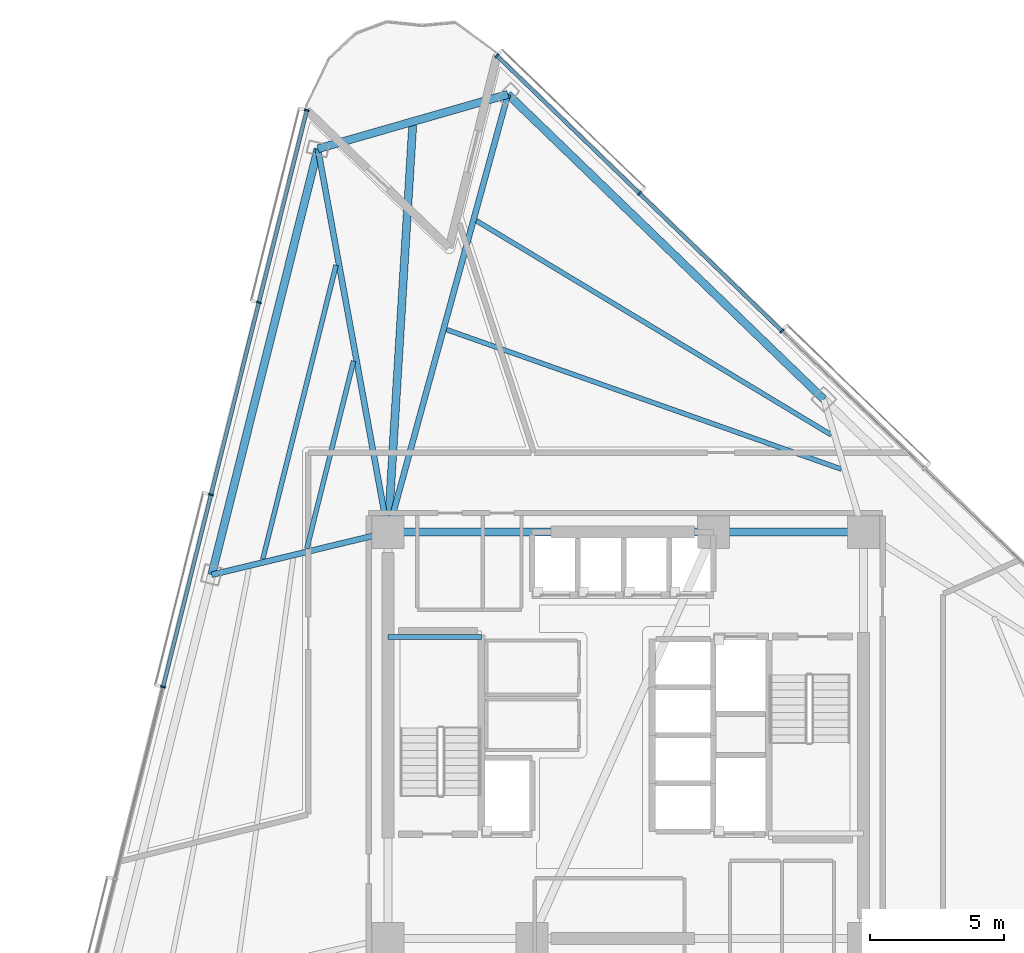
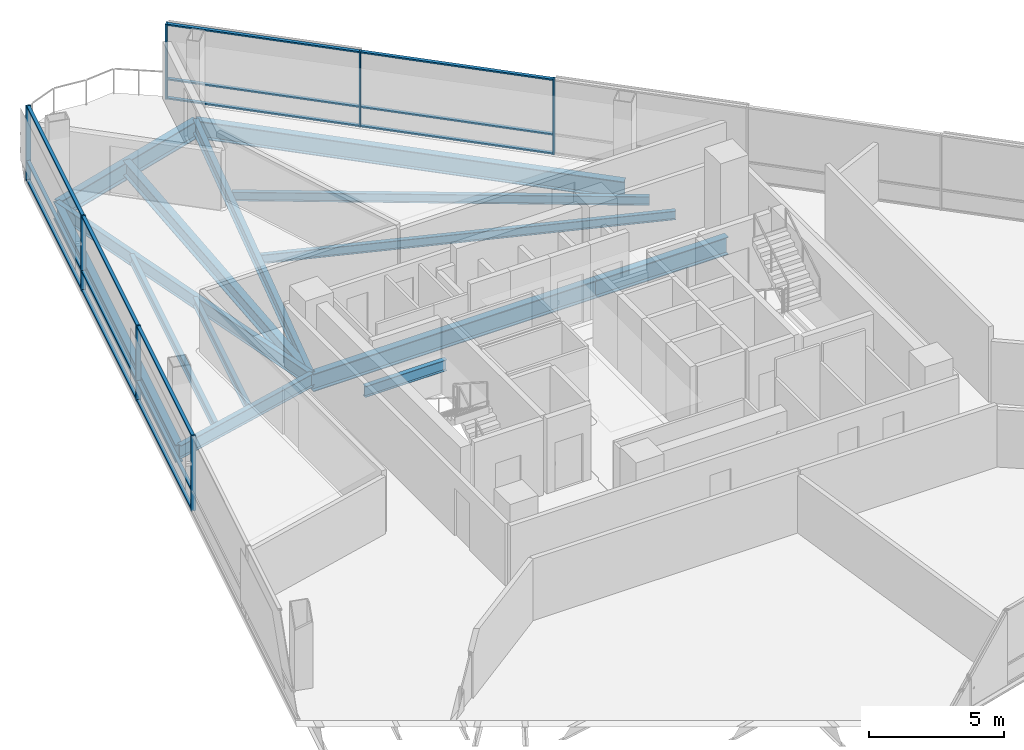
# One storey, part 6 of 18: 22 members, 14 beams, 2 elements without a shape of their own.
"""IFC4 building model written with IfcOpenShell, lengths in metres."""

from ifc_helpers import new_model, si_unit, direction, frame, origin, origin_2d, place, context, subcontext, project, spatial, rectangle, i_section, extrude, material, layer, layer_set, material_profile, profile_set, type_object, element, aggregate, save


model = new_model("IFC4")

# Units and contexts
model_context = context("Model", 3, precision=1e-05, world=origin(), true_north=direction((0.0, 1.0)))
body_context = subcontext(model_context, "Body", "Model", "MODEL_VIEW")
ifc_project = project(units=[si_unit("LENGTHUNIT", "METRE"), si_unit("AREAUNIT", "SQUARE_METRE"), si_unit("VOLUMEUNIT", "CUBIC_METRE"), si_unit("PLANEANGLEUNIT", "RADIAN"), si_unit("MASSUNIT", "GRAM", prefix="KILO")], contexts=[model_context])

# Site, building, storey
site_placement = place(None, origin())
site = spatial("IfcSite", under=ifc_project, at=site_placement, CompositionType="ELEMENT")
building_placement = place(site_placement, origin())
building = spatial("IfcBuilding", under=site, at=building_placement, Name="Tharavind Bronze Gate", CompositionType="ELEMENT")
storey_placement = place(building_placement, frame((0.0, 0.0, 100.5)))
storey = spatial("IfcBuildingStorey", under=building, at=storey_placement, Name="L25", CompositionType="ELEMENT", Elevation=100.5)

# Curtain wall, members
ifc_material_1 = material(Name="Anodised Bronze Aluminium", Category="aluminium")
ifc_layer = layer(ifc_material_1, 0.219970703125)
ifc_layer_set = layer_set([ifc_layer], Name="Anodised Bronze Aluminium")
curtain_wall_type = type_object("IfcCurtainWallType", Name="UNITISED CURTAIN WALL LOWER OFFICE", PredefinedType="USERDEFINED", material=ifc_layer_set)
curtain_wall_1_placement = place(storey_placement, origin())
curtain_wall_1 = element("IfcCurtainWall", 1, at=curtain_wall_1_placement, inside=storey, type_object=curtain_wall_type, Name="L25 unitised curtain wall lower office CW-L25-S1", ObjectType="UNITISED CURTAIN WALL", PredefinedType="USERDEFINED")
member_type_1 = type_object("IfcMemberType", Name="CURTAIN WALL BRONZE MULLION 65X180", PredefinedType="MULLION", material=ifc_material_1)
member_1_placement = place(storey_placement, frame((-11.93359375, 23.394287109375, 0.0), z_axis=(0.0, 0.0, 1.0), x_axis=(-0.2419218956, -0.970295726276, 0.0)))
member_1 = element("IfcMember", 2, at=member_1_placement, type_object=member_type_1, Name="CW-L25-S1 mullion 1", PredefinedType="MULLION", context=body_context, shape_type="SweptSolid", body=[
    extrude(rectangle(XDim=0.06494140625, YDim=0.179931640625, at=origin_2d()), origin(), (0.0, 0.0, 1.0), 3.409912109375),
])
member_2_placement = place(storey_placement, frame((-13.727294921875, 16.2001953125, 0.0), z_axis=(0.0, 0.0, 1.0), x_axis=(-0.2419218956, -0.970295726276, 0.0)))
member_2 = element("IfcMember", 3, at=member_2_placement, type_object=member_type_1, Name="CW-L25-S1 mullion 2", PredefinedType="MULLION", context=body_context, shape_type="SweptSolid", body=[
    extrude(rectangle(XDim=0.06494140625, YDim=0.179931640625, at=origin_2d()), origin(), (0.0, 0.0, 1.0), 3.409912109375),
])
member_3_placement = place(storey_placement, frame((-15.52099609375, 9.00634765625, 0.0), z_axis=(0.0, 0.0, 1.0), x_axis=(-0.2419218956, -0.970295726276, 0.0)))
member_3 = element("IfcMember", 4, at=member_3_placement, type_object=member_type_1, Name="CW-L25-S1 mullion 3", PredefinedType="MULLION", context=body_context, shape_type="SweptSolid", body=[
    extrude(rectangle(XDim=0.06494140625, YDim=0.179931640625, at=origin_2d()), origin(), (0.0, 0.0, 1.0), 3.409912109375),
])
member_4_placement = place(storey_placement, frame((-17.314697265625, 1.812255859375, 0.0), z_axis=(0.0, 0.0, 1.0), x_axis=(-0.2419218956, -0.970295726276, 0.0)))
member_4 = element("IfcMember", 5, at=member_4_placement, type_object=member_type_1, Name="CW-L25-S1 mullion 4", PredefinedType="MULLION", context=body_context, shape_type="SweptSolid", body=[
    extrude(rectangle(XDim=0.06494140625, YDim=0.179931640625, at=origin_2d()), origin(), (0.0, 0.0, 1.0), 3.409912109375),
])

curtain_wall_2_placement = place(storey_placement, origin())
curtain_wall_2 = element("IfcCurtainWall", 6, at=curtain_wall_2_placement, inside=storey, type_object=curtain_wall_type, Name="L25 unitised curtain wall lower office CW-L25-S3", ObjectType="UNITISED CURTAIN WALL", PredefinedType="USERDEFINED")
member_5_placement = place(storey_placement, frame((5.84619140625, 15.13330078125, 0.0), z_axis=(0.0, 0.0, 1.0), x_axis=(-0.719341012745, 0.694657114973, 0.0)))
member_5 = element("IfcMember", 7, at=member_5_placement, type_object=member_type_1, Name="CW-L25-S3 mullion 6", PredefinedType="MULLION", context=body_context, shape_type="SweptSolid", body=[
    extrude(rectangle(XDim=0.06494140625, YDim=0.179931640625, at=origin_2d()), origin(), (0.0, 0.0, 1.0), 3.409912109375),
])
member_6_placement = place(storey_placement, frame((0.512939453125, 20.28369140625, 0.0), z_axis=(0.0, 0.0, 1.0), x_axis=(-0.719341012745, 0.694657114973, 0.0)))
member_6 = element("IfcMember", 8, at=member_6_placement, type_object=member_type_1, Name="CW-L25-S3 mullion 7", PredefinedType="MULLION", context=body_context, shape_type="SweptSolid", body=[
    extrude(rectangle(XDim=0.06494140625, YDim=0.179931640625, at=origin_2d()), origin(), (0.0, 0.0, 1.0), 3.409912109375),
])
member_7_placement = place(storey_placement, frame((-4.8203125, 25.433837890625, 0.0), z_axis=(0.0, 0.0, 1.0), x_axis=(-0.719341012745, 0.694657114973, 0.0)))
member_7 = element("IfcMember", 9, at=member_7_placement, type_object=member_type_1, Name="CW-L25-S3 mullion 8", PredefinedType="MULLION", context=body_context, shape_type="SweptSolid", body=[
    extrude(rectangle(XDim=0.06494140625, YDim=0.179931640625, at=origin_2d()), origin(), (0.0, 0.0, 1.0), 3.409912109375),
])

# Member
member_type_2 = type_object("IfcMemberType", Name="CURTAIN WALL BRONZE TRANSOM 65X140", PredefinedType="USERDEFINED", material=ifc_material_1)
member_8_placement = place(storey_placement, frame((-12.83056640625, 19.797119140625, 0.0), z_axis=(0.0, 0.0, 1.0), x_axis=(-0.2419218956, -0.970295726276, 0.0)))
member_8 = element("IfcMember", 10, at=member_8_placement, type_object=member_type_2, Name="CW-L25-S1 transom TB1", ObjectType="TRANSOM", PredefinedType="USERDEFINED", context=body_context, shape_type="SweptSolid", body=[
    extrude(rectangle(XDim=7.361083984375, YDim=0.139892578125, at=origin_2d()), origin(), (0.0, 0.0, 1.0), 0.06494140625),
])

member_9_placement = place(storey_placement, frame((-12.83056640625, 19.797119140625, 0.867431640625), z_axis=(0.0, 0.0, 1.0), x_axis=(-0.2419218956, -0.970295726276, 0.0)))
member_9 = element("IfcMember", 11, at=member_9_placement, type_object=member_type_2, Name="CW-L25-S1 transom TS1", ObjectType="TRANSOM", PredefinedType="USERDEFINED", context=body_context, shape_type="SweptSolid", body=[
    extrude(rectangle(XDim=7.361083984375, YDim=0.139892578125, at=origin_2d()), origin(), (0.0, 0.0, 1.0), 0.06494140625),
])

member_10_placement = place(storey_placement, frame((-12.83056640625, 19.797119140625, 3.344970703125), z_axis=(0.0, 0.0, 1.0), x_axis=(-0.2419218956, -0.970295726276, 0.0)))
member_10 = element("IfcMember", 12, at=member_10_placement, type_object=member_type_2, Name="CW-L25-S1 transom TT1", ObjectType="TRANSOM", PredefinedType="USERDEFINED", context=body_context, shape_type="SweptSolid", body=[
    extrude(rectangle(XDim=7.361083984375, YDim=0.139892578125, at=origin_2d()), origin(), (0.0, 0.0, 1.0), 0.06494140625),
])

member_11_placement = place(storey_placement, frame((-14.624267578125, 12.603271484375, 0.0), z_axis=(0.0, 0.0, 1.0), x_axis=(-0.2419218956, -0.970295726276, 0.0)))
member_11 = element("IfcMember", 13, at=member_11_placement, type_object=member_type_2, Name="CW-L25-S1 transom TB2", ObjectType="TRANSOM", PredefinedType="USERDEFINED", context=body_context, shape_type="SweptSolid", body=[
    extrude(rectangle(XDim=7.361083984375, YDim=0.139892578125, at=origin_2d()), origin(), (0.0, 0.0, 1.0), 0.06494140625),
])

member_12_placement = place(storey_placement, frame((-14.624267578125, 12.603271484375, 0.867431640625), z_axis=(0.0, 0.0, 1.0), x_axis=(-0.2419218956, -0.970295726276, 0.0)))
member_12 = element("IfcMember", 14, at=member_12_placement, type_object=member_type_2, Name="CW-L25-S1 transom TS2", ObjectType="TRANSOM", PredefinedType="USERDEFINED", context=body_context, shape_type="SweptSolid", body=[
    extrude(rectangle(XDim=7.361083984375, YDim=0.139892578125, at=origin_2d()), origin(), (0.0, 0.0, 1.0), 0.06494140625),
])

member_13_placement = place(storey_placement, frame((-14.624267578125, 12.603271484375, 3.344970703125), z_axis=(0.0, 0.0, 1.0), x_axis=(-0.2419218956, -0.970295726276, 0.0)))
member_13 = element("IfcMember", 15, at=member_13_placement, type_object=member_type_2, Name="CW-L25-S1 transom TT2", ObjectType="TRANSOM", PredefinedType="USERDEFINED", context=body_context, shape_type="SweptSolid", body=[
    extrude(rectangle(XDim=7.361083984375, YDim=0.139892578125, at=origin_2d()), origin(), (0.0, 0.0, 1.0), 0.06494140625),
])

member_14_placement = place(storey_placement, frame((-16.417724609375, 5.4091796875, 0.0), z_axis=(0.0, 0.0, 1.0), x_axis=(-0.2419218956, -0.970295726276, 0.0)))
member_14 = element("IfcMember", 16, at=member_14_placement, type_object=member_type_2, Name="CW-L25-S1 transom TB3", ObjectType="TRANSOM", PredefinedType="USERDEFINED", context=body_context, shape_type="SweptSolid", body=[
    extrude(rectangle(XDim=7.361083984375, YDim=0.139892578125, at=origin_2d()), origin(), (0.0, 0.0, 1.0), 0.06494140625),
])

member_15_placement = place(storey_placement, frame((-16.417724609375, 5.4091796875, 0.867431640625), z_axis=(0.0, 0.0, 1.0), x_axis=(-0.2419218956, -0.970295726276, 0.0)))
member_15 = element("IfcMember", 17, at=member_15_placement, type_object=member_type_2, Name="CW-L25-S1 transom TS3", ObjectType="TRANSOM", PredefinedType="USERDEFINED", context=body_context, shape_type="SweptSolid", body=[
    extrude(rectangle(XDim=7.361083984375, YDim=0.139892578125, at=origin_2d()), origin(), (0.0, 0.0, 1.0), 0.06494140625),
])

member_16_placement = place(storey_placement, frame((-16.417724609375, 5.4091796875, 3.344970703125), z_axis=(0.0, 0.0, 1.0), x_axis=(-0.2419218956, -0.970295726276, 0.0)))
member_16 = element("IfcMember", 18, at=member_16_placement, type_object=member_type_2, Name="CW-L25-S1 transom TT3", ObjectType="TRANSOM", PredefinedType="USERDEFINED", context=body_context, shape_type="SweptSolid", body=[
    extrude(rectangle(XDim=7.361083984375, YDim=0.139892578125, at=origin_2d()), origin(), (0.0, 0.0, 1.0), 0.06494140625),
])

aggregate(curtain_wall_1, [member_1, member_2, member_3, member_4, member_8, member_9, member_10, member_11, member_12, member_13, member_14, member_15, member_16])

member_17_placement = place(storey_placement, frame((3.1796875, 17.70849609375, 0.0), z_axis=(0.0, 0.0, 1.0), x_axis=(-0.719341012745, 0.694657114973, 0.0)))
member_17 = element("IfcMember", 19, at=member_17_placement, type_object=member_type_2, Name="CW-L25-S3 transom TB6", ObjectType="TRANSOM", PredefinedType="USERDEFINED", context=body_context, shape_type="SweptSolid", body=[
    extrude(rectangle(XDim=7.361083984375, YDim=0.139892578125, at=origin_2d()), origin(), (0.0, 0.0, 1.0), 0.06494140625),
])

member_18_placement = place(storey_placement, frame((3.1796875, 17.70849609375, 0.867431640625), z_axis=(0.0, 0.0, 1.0), x_axis=(-0.719341012745, 0.694657114973, 0.0)))
member_18 = element("IfcMember", 20, at=member_18_placement, type_object=member_type_2, Name="CW-L25-S3 transom TS6", ObjectType="TRANSOM", PredefinedType="USERDEFINED", context=body_context, shape_type="SweptSolid", body=[
    extrude(rectangle(XDim=7.361083984375, YDim=0.139892578125, at=origin_2d()), origin(), (0.0, 0.0, 1.0), 0.06494140625),
])

member_19_placement = place(storey_placement, frame((3.1796875, 17.70849609375, 3.344970703125), z_axis=(0.0, 0.0, 1.0), x_axis=(-0.719341012745, 0.694657114973, 0.0)))
member_19 = element("IfcMember", 21, at=member_19_placement, type_object=member_type_2, Name="CW-L25-S3 transom TT6", ObjectType="TRANSOM", PredefinedType="USERDEFINED", context=body_context, shape_type="SweptSolid", body=[
    extrude(rectangle(XDim=7.361083984375, YDim=0.139892578125, at=origin_2d()), origin(), (0.0, 0.0, 1.0), 0.06494140625),
])

member_20_placement = place(storey_placement, frame((-2.15380859375, 22.858642578125, 0.0), z_axis=(0.0, 0.0, 1.0), x_axis=(-0.719341012745, 0.694657114973, 0.0)))
member_20 = element("IfcMember", 22, at=member_20_placement, type_object=member_type_2, Name="CW-L25-S3 transom TB7", ObjectType="TRANSOM", PredefinedType="USERDEFINED", context=body_context, shape_type="SweptSolid", body=[
    extrude(rectangle(XDim=7.361083984375, YDim=0.139892578125, at=origin_2d()), origin(), (0.0, 0.0, 1.0), 0.06494140625),
])

member_21_placement = place(storey_placement, frame((-2.15380859375, 22.858642578125, 0.867431640625), z_axis=(0.0, 0.0, 1.0), x_axis=(-0.719341012745, 0.694657114973, 0.0)))
member_21 = element("IfcMember", 23, at=member_21_placement, type_object=member_type_2, Name="CW-L25-S3 transom TS7", ObjectType="TRANSOM", PredefinedType="USERDEFINED", context=body_context, shape_type="SweptSolid", body=[
    extrude(rectangle(XDim=7.361083984375, YDim=0.139892578125, at=origin_2d()), origin(), (0.0, 0.0, 1.0), 0.06494140625),
])

member_22_placement = place(storey_placement, frame((-2.15380859375, 22.858642578125, 3.344970703125), z_axis=(0.0, 0.0, 1.0), x_axis=(-0.719341012745, 0.694657114973, 0.0)))
member_22 = element("IfcMember", 24, at=member_22_placement, type_object=member_type_2, Name="CW-L25-S3 transom TT7", ObjectType="TRANSOM", PredefinedType="USERDEFINED", context=body_context, shape_type="SweptSolid", body=[
    extrude(rectangle(XDim=7.361083984375, YDim=0.139892578125, at=origin_2d()), origin(), (0.0, 0.0, 1.0), 0.06494140625),
])

aggregate(curtain_wall_2, [member_5, member_6, member_7, member_17, member_18, member_19, member_20, member_21, member_22])

# Beams
ifc_material_2 = material(Name="Steel S355", Category="steel")
ifc_material_profile_1 = material_profile(ifc_material_2, i_section(OverallWidth=0.300048828125, OverallDepth=0.64990234375, WebThickness=0.01611328125, FlangeThickness=0.031005859375, at=origin_2d()), Name="HE650B")
ifc_profile_set_1 = profile_set([ifc_material_profile_1], Name="Steel S355")
beam_type_1 = type_object("IfcBeamType", Name="PRIMARY GIRDER HE650B", PredefinedType="USERDEFINED", material=ifc_profile_set_1)
beam_1_placement = place(storey_placement, frame((-8.89990234375, 7.60009765625, -0.514892578125), z_axis=(0.060795156935, 0.998150263684, 0.0), x_axis=(-0.998150263684, 0.060795156935, 0.0)))
element("IfcBeam", 25, at=beam_1_placement, inside=storey, type_object=beam_type_1, Name="L25 primary girder he650b BM-L25-BLCSB", ObjectType="GIRDER", PredefinedType="USERDEFINED", context=body_context, shape_type="SweptSolid", body=[
    extrude(i_section(OverallWidth=0.300048828125, OverallDepth=0.64990234375, WebThickness=0.01611328125, FlangeThickness=0.031005859375, at=origin_2d()), origin(), (0.0, 0.0, 1.0), 15.400634765625),
])
ifc_material_profile_2 = material_profile(ifc_material_2, i_section(OverallWidth=0.199951171875, OverallDepth=0.5, WebThickness=0.01025390625, FlangeThickness=0.01611328125, at=origin_2d()), Name="IPE500")
ifc_profile_set_2 = profile_set([ifc_material_profile_2], Name="Steel S355")
beam_type_2 = type_object("IfcBeamType", Name="PRIMARY GIRDER IPE500", PredefinedType="USERDEFINED", material=ifc_profile_set_2)
beam_2_placement = place(storey_placement, frame((-8.89990234375, 3.679931640625, 1.35009765625), z_axis=(1.0, 0.0, 0.0), x_axis=(0.0, 1.0, 0.0)))
element("IfcBeam", 26, at=beam_2_placement, inside=storey, type_object=beam_type_2, Name="L25 primary girder ipe500 BM-LD-ST1-L25-1", ObjectType="GIRDER", PredefinedType="USERDEFINED", context=body_context, shape_type="SweptSolid", body=[
    extrude(i_section(OverallWidth=0.199951171875, OverallDepth=0.5, WebThickness=0.01025390625, FlangeThickness=0.01611328125, at=origin_2d()), origin(), (0.0, 0.0, 1.0), 3.5),
])
ifc_material_profile_3 = material_profile(ifc_material_2, i_section(OverallWidth=0.219970703125, OverallDepth=0.60009765625, WebThickness=0.011962890625, FlangeThickness=0.01904296875, at=origin_2d()), Name="IPE600")
ifc_profile_set_3 = profile_set([ifc_material_profile_3], Name="Steel S355")
beam_type_3 = type_object("IfcBeamType", Name="PRIMARY GIRDER IPE600", PredefinedType="USERDEFINED", material=ifc_profile_set_3)
beam_3_placement = place(storey_placement, frame((-11.520263671875, 21.952392578125, -0.489990234375), z_axis=(0.179605485625, -0.983738720156, 0.0), x_axis=(0.983738720156, 0.179605485625, 0.0)))
element("IfcBeam", 27, at=beam_3_placement, inside=storey, type_object=beam_type_3, Name="L25 primary girder ipe600 BM-L25-RAD01", ObjectType="GIRDER", PredefinedType="USERDEFINED", context=body_context, shape_type="SweptSolid", body=[
    extrude(i_section(OverallWidth=0.219970703125, OverallDepth=0.60009765625, WebThickness=0.011962890625, FlangeThickness=0.01904296875, at=origin_2d()), origin(), (0.0, 0.0, 1.0), 14.589599609375),
])
beam_4_placement = place(storey_placement, frame((-15.495849609375, 6.006591796875, -0.489990234375), z_axis=(0.972035781116, 0.234832792069, 0.0), x_axis=(-0.234832792069, 0.972035781116, 0.0)))
element("IfcBeam", 28, at=beam_4_placement, inside=storey, type_object=beam_type_3, Name="L25 primary girder ipe600 BM-L25-RAD02", ObjectType="GIRDER", PredefinedType="USERDEFINED", context=body_context, shape_type="SweptSolid", body=[
    extrude(i_section(OverallWidth=0.219970703125, OverallDepth=0.60009765625, WebThickness=0.011962890625, FlangeThickness=0.01904296875, at=origin_2d()), origin(), (0.0, 0.0, 1.0), 6.78564453125),
])
beam_5_placement = place(storey_placement, frame((-4.406982421875, 23.9921875, -0.489990234375), z_axis=(-0.26434111933, -0.964429247084, 0.0), x_axis=(0.964429247084, -0.26434111933, 0.0)))
element("IfcBeam", 29, at=beam_5_placement, inside=storey, type_object=beam_type_3, Name="L25 primary girder ipe600 BM-L25-RAD12", ObjectType="GIRDER", PredefinedType="USERDEFINED", context=body_context, shape_type="SweptSolid", body=[
    extrude(i_section(OverallWidth=0.219970703125, OverallDepth=0.60009765625, WebThickness=0.011962890625, FlangeThickness=0.01904296875, at=origin_2d()), origin(), (0.0, 0.0, 1.0), 16.99658203125),
])
ifc_material_profile_4 = material_profile(ifc_material_2, i_section(OverallWidth=0.300048828125, OverallDepth=0.800048828125, WebThickness=0.017578125, FlangeThickness=0.032958984375, at=origin_2d()), Name="HE800B")
ifc_profile_set_4 = profile_set([ifc_material_profile_4], Name="Steel S355")
beam_type_4 = type_object("IfcBeamType", Name="RING GIRDER HE800B", PredefinedType="USERDEFINED", material=ifc_profile_set_4)
beam_6_placement = place(storey_placement, frame((8.89990234375, 7.60009765625, -0.590087890625), z_axis=(-1.0, 0.0, 0.0), x_axis=(0.0, -1.0, 0.0)))
element("IfcBeam", 30, at=beam_6_placement, inside=storey, type_object=beam_type_4, Name="L25 ring girder he800b BM-L25-CR4", ObjectType="GIRDER", PredefinedType="USERDEFINED", context=body_context, shape_type="SweptSolid", body=[
    extrude(i_section(OverallWidth=0.300048828125, OverallDepth=0.800048828125, WebThickness=0.017578125, FlangeThickness=0.032958984375, at=origin_2d()), origin(), (0.0, 0.0, 1.0), 5.619873046875),
])
beam_7_placement = place(storey_placement, frame((3.280029296875, 7.60009765625, -0.590087890625), z_axis=(-1.0, 0.0, 0.0), x_axis=(0.0, -1.0, 0.0)))
element("IfcBeam", 31, at=beam_7_placement, inside=storey, type_object=beam_type_4, Name="L25 ring girder he800b BM-L25-CR5", ObjectType="GIRDER", PredefinedType="USERDEFINED", context=body_context, shape_type="SweptSolid", body=[
    extrude(i_section(OverallWidth=0.300048828125, OverallDepth=0.800048828125, WebThickness=0.017578125, FlangeThickness=0.032958984375, at=origin_2d()), origin(), (0.0, 0.0, 1.0), 12.179931640625),
])
for number, where, z_axis, x_axis, name in (
    (32, (-11.520263671875, 21.952392578125, -0.590087890625), (-0.241913375366, -0.970297850569, 0.0), (0.970297850569, -0.241913375366, 0.0), "L25 ring girder he800b BM-L25-PRG01"),
    (33, (7.41455078125, 12.576171875, -0.590087890625), (-0.719336950964, 0.694661321061, 0.0), (-0.694661321061, -0.719336950964, 0.0), "L25 ring girder he800b BM-L25-PRG11"),
):
    element("IfcBeam", number, at=place(storey_placement, frame(where, z_axis=z_axis, x_axis=x_axis)), inside=storey, type_object=beam_type_4, Name=name, ObjectType="GIRDER", PredefinedType="USERDEFINED", context=body_context, shape_type="SweptSolid", body=[
        extrude(i_section(OverallWidth=0.300048828125, OverallDepth=0.800048828125, WebThickness=0.017578125, FlangeThickness=0.032958984375, at=origin_2d()), origin(), (0.0, 0.0, 1.0), 16.433837890625),
    ])
beam_8_placement = place(storey_placement, frame((-4.406982421875, 23.9921875, -0.590087890625), z_axis=(-0.961258317766, -0.275649136633, 0.0), x_axis=(0.275649136633, -0.961258317766, 0.0)))
element("IfcBeam", 34, at=beam_8_placement, inside=storey, type_object=beam_type_4, Name="L25 ring girder he800b BM-L25-PRG12", ObjectType="GIRDER", PredefinedType="USERDEFINED", context=body_context, shape_type="SweptSolid", body=[
    extrude(i_section(OverallWidth=0.300048828125, OverallDepth=0.800048828125, WebThickness=0.017578125, FlangeThickness=0.032958984375, at=origin_2d()), origin(), (0.0, 0.0, 1.0), 7.39990234375),
])
ifc_material_profile_5 = material_profile(ifc_material_2, i_section(OverallWidth=0.179931640625, OverallDepth=0.39990234375, WebThickness=0.008544921875, FlangeThickness=0.013427734375, at=origin_2d()), Name="IPE400")
ifc_profile_set_5 = profile_set([ifc_material_profile_5], Name="Steel S355")
beam_type_5 = type_object("IfcBeamType", Name="SECONDARY FLOOR JOIST IPE400", PredefinedType="JOIST", material=ifc_profile_set_5)
beam_9_placement = place(storey_placement, frame((-10.183837890625, 14.010986328125, -0.389892578125), z_axis=(-0.241924860908, -0.970294986937, 0.0), x_axis=(0.970294986937, -0.241924860908, 0.0)))
element("IfcBeam", 35, at=beam_9_placement, inside=storey, type_object=beam_type_5, Name="L25 secondary floor joist ipe400 BM-L25-JSTA01", PredefinedType="JOIST", context=body_context, shape_type="SweptSolid", body=[
    extrude(i_section(OverallWidth=0.179931640625, OverallDepth=0.39990234375, WebThickness=0.008544921875, FlangeThickness=0.013427734375, at=origin_2d()), origin(), (0.0, 0.0, 1.0), 7.24267578125),
])
beam_10_placement = place(storey_placement, frame((-10.839111328125, 17.59912109375, -0.389892578125), z_axis=(-0.241923228162, -0.97029539403, 0.0), x_axis=(0.97029539403, -0.241923228162, 0.0)))
element("IfcBeam", 36, at=beam_10_placement, inside=storey, type_object=beam_type_5, Name="L25 secondary floor joist ipe400 BM-L25-JSTB01", PredefinedType="JOIST", context=body_context, shape_type="SweptSolid", body=[
    extrude(i_section(OverallWidth=0.179931640625, OverallDepth=0.39990234375, WebThickness=0.008544921875, FlangeThickness=0.013427734375, at=origin_2d()), origin(), (0.0, 0.0, 1.0), 11.35107421875),
])
beam_11_placement = place(storey_placement, frame((8.0771484375, 9.960693359375, -0.389892578125), z_axis=(-0.942851952472, 0.333211938141, 0.0), x_axis=(-0.333211938141, -0.942851952472, 0.0)))
element("IfcBeam", 37, at=beam_11_placement, inside=storey, type_object=beam_type_5, Name="L25 secondary floor joist ipe400 BM-L25-JSTA11", PredefinedType="JOIST", context=body_context, shape_type="SweptSolid", body=[
    extrude(i_section(OverallWidth=0.179931640625, OverallDepth=0.39990234375, WebThickness=0.008544921875, FlangeThickness=0.013427734375, at=origin_2d()), origin(), (0.0, 0.0, 1.0), 15.67578125),
])
beam_12_placement = place(storey_placement, frame((7.694580078125, 11.244384765625, -0.389892578125), z_axis=(-0.856169414419, 0.516695203977, 0.0), x_axis=(-0.516695203977, -0.856169414419, 0.0)))
element("IfcBeam", 38, at=beam_12_placement, inside=storey, type_object=beam_type_5, Name="L25 secondary floor joist ipe400 BM-L25-JSTB11", PredefinedType="JOIST", context=body_context, shape_type="SweptSolid", body=[
    extrude(i_section(OverallWidth=0.179931640625, OverallDepth=0.39990234375, WebThickness=0.008544921875, FlangeThickness=0.013427734375, at=origin_2d()), origin(), (0.0, 0.0, 1.0), 15.51171875),
])

save(model, "model.ifc")
